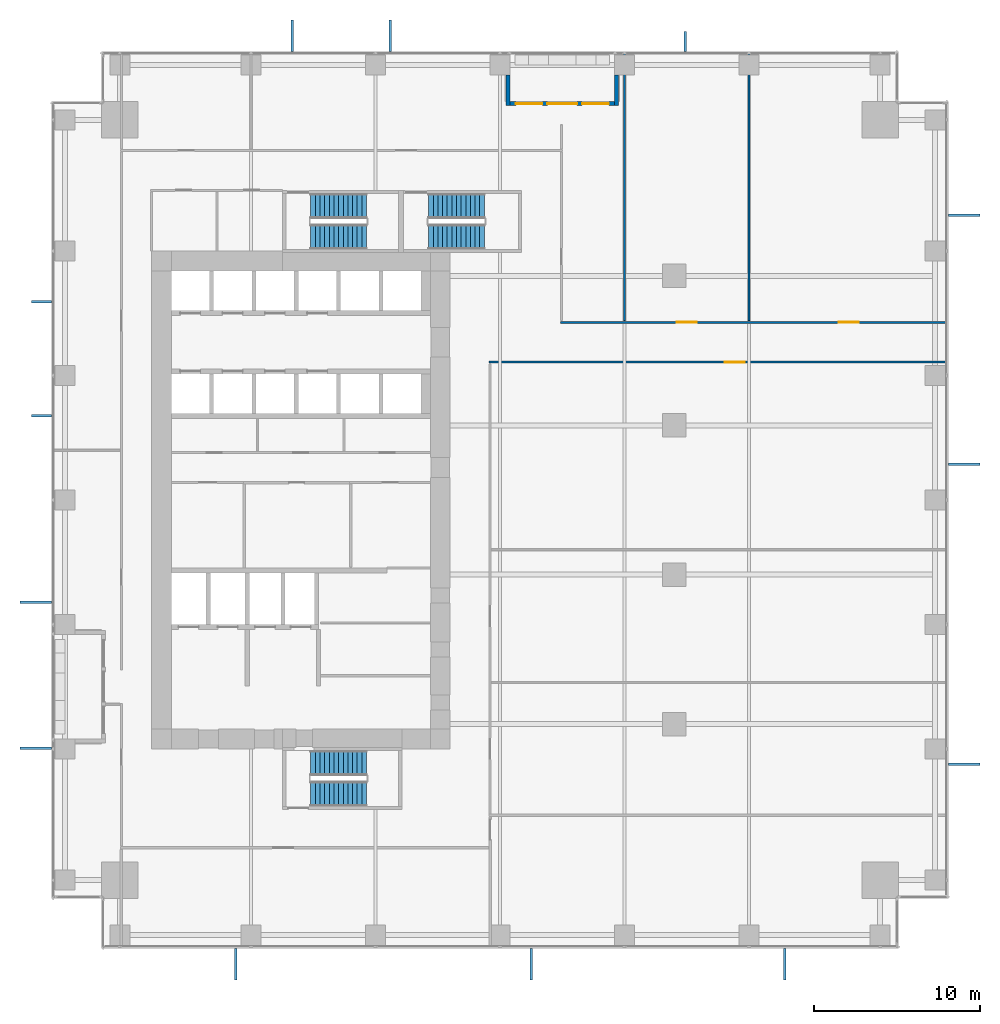
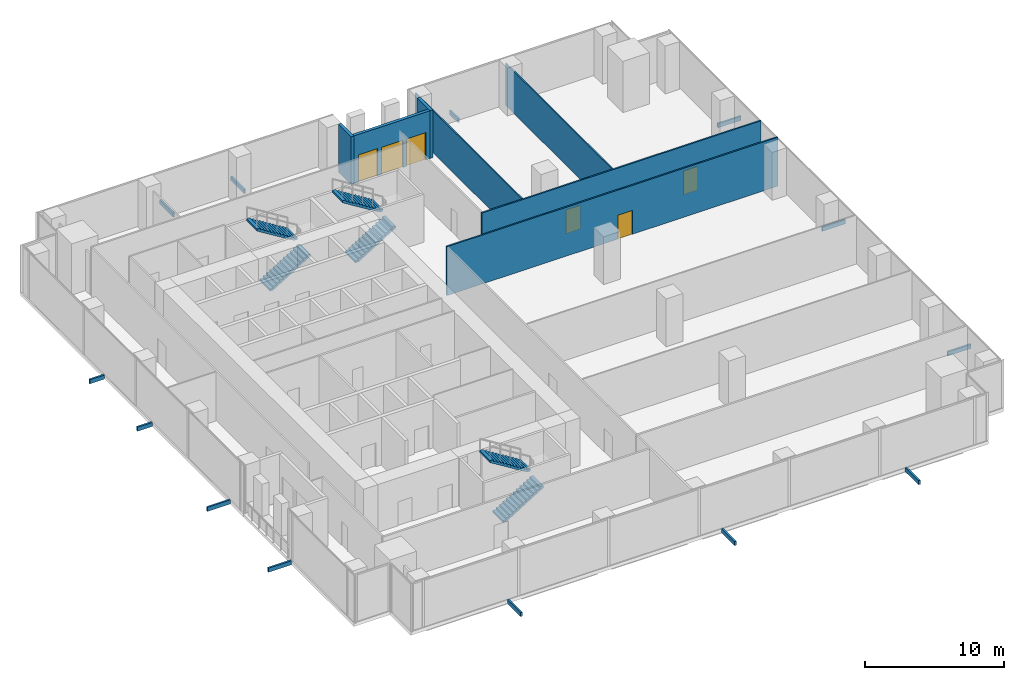
# One storey, part 30 of 33: 13 discrete accessories, 7 walls, 6 stair flights, 4 doors, 2 windows, 6 openings, 3 elements without a shape of their own.
"""IFC4 building model written with IfcOpenShell, lengths in metres."""

from ifc_helpers import new_model, si_unit, direction, frame, frame_2d, origin, origin_2d, place, context, subcontext, project, spatial, polyline, rectangle, outline, extrude, source, transform, mapped, material, layer, layer_set, type_object, element, fill, aggregate, save


model = new_model("IFC4")

# Units and contexts
model_context = context("Model", 3, precision=1e-05, world=origin(), true_north=direction((0.0, 1.0)))
body_context = subcontext(model_context, "Body", "Model", "MODEL_VIEW")
ifc_project = project(units=[si_unit("LENGTHUNIT", "METRE"), si_unit("AREAUNIT", "SQUARE_METRE"), si_unit("VOLUMEUNIT", "CUBIC_METRE"), si_unit("PLANEANGLEUNIT", "RADIAN"), si_unit("MASSUNIT", "GRAM", prefix="KILO")], contexts=[model_context])

# Site, building, storey
site_placement = place(None, origin())
site = spatial("IfcSite", under=ifc_project, at=site_placement, CompositionType="ELEMENT")
building_placement = place(site_placement, origin())
building = spatial("IfcBuilding", under=site, at=building_placement, Name="Khomas Fold Tower", CompositionType="ELEMENT")
storey_placement = place(building_placement, frame((0.0, 0.0, 55.5)))
storey = spatial("IfcBuildingStorey", under=building, at=storey_placement, Name="L11", CompositionType="ELEMENT", Elevation=55.5)

# Wall, openings, windows, door
ifc_material_1 = material(Name="Natural stone", Category="masonry")
ifc_layer_1 = layer(ifc_material_1, 0.0400390625)
ifc_material_2 = material(Name="Mineral wool insulation", Category="insulation")
ifc_layer_2 = layer(ifc_material_2, 0.10009765625)
ifc_material_3 = material(Name="Masonry", Category="masonry")
ifc_layer_3 = layer(ifc_material_3, 0.110107421875)
ifc_layer_set_1 = layer_set([ifc_layer_1, ifc_layer_2, ifc_layer_3], Name="Stone-faced insulated masonry")
wall_type_1 = type_object("IfcWallType", Name="BL-Balcony wall", PredefinedType="SOLIDWALL", material=ifc_layer_set_1)
shared_shape_1 = source(origin(), body_context, "Body", "SweptSolid", [
    extrude(rectangle(XDim=6.2998046875, YDim=0.25, at=frame_2d((3.14990234375, 0.0))), origin(), (0.0, 0.0, 1.0), 4.199951171875),
])
wall_1_placement = place(storey_placement, frame((27.60009765625, 50.875, 0.0), z_axis=(0.0, 0.0, 1.0), x_axis=(1.0, 0.0, 0.0)))
wall_1 = element("IfcWall", 1, at=wall_1_placement, inside=storey, type_object=wall_type_1, Name="Balcony wall BAL-L11-N3", PredefinedType="SOLIDWALL", context=body_context, shape_type="MappedRepresentation", body=[
    mapped(shared_shape_1, transform((0.0, 0.0, 0.0))),
])
shared_shape_2 = source(origin(), body_context, "Body", "SweptSolid", [
    extrude(rectangle(XDim=1.60009765625, YDim=2.39990234375, at=frame_2d((0.800048828125, 1.199951171875))), frame((0.0, 0.135009765625, 0.0), z_axis=(0.0, -1.0, 0.0), x_axis=(1.0, 0.0, 0.0)), (0.0, 0.0, 1.0), 0.27001953125),
])
opening_1_placement = place(wall_1_placement, frame((0.35009765625, 0.0, 0.0)))
opening_1 = element("IfcOpeningElement", 2, at=opening_1_placement, cuts=wall_1, Name="Opening BL-W1", PredefinedType="OPENING", context=body_context, shape_type="MappedRepresentation", body=[
    mapped(shared_shape_2, transform((0.0, 0.0, 0.0))),
])
opening_2_placement = place(wall_1_placement, frame((4.35009765625, 0.0, 0.0)))
opening_2 = element("IfcOpeningElement", 3, at=opening_2_placement, cuts=wall_1, Name="Opening BL-W1", PredefinedType="OPENING", context=body_context, shape_type="MappedRepresentation", body=[
    mapped(shared_shape_2, transform((0.0, 0.0, 0.0))),
])
shared_shape_3 = source(origin(), body_context, "Body", "SweptSolid", [
    extrude(rectangle(XDim=1.800048828125, YDim=2.39990234375, at=frame_2d((0.89990234375, 1.199951171875))), frame((0.0, 0.135009765625, 0.0), z_axis=(0.0, -1.0, 0.0), x_axis=(1.0, 0.0, 0.0)), (0.0, 0.0, 1.0), 0.27001953125),
])
opening_3_placement = place(wall_1_placement, frame((2.25, 0.0, 0.0)))
opening_3 = element("IfcOpeningElement", 4, at=opening_3_placement, cuts=wall_1, Name="Opening BD111", PredefinedType="OPENING", context=body_context, shape_type="MappedRepresentation", body=[
    mapped(shared_shape_3, transform((0.0, 0.0, 0.0))),
])
ifc_material_4 = material(Name="Aluminium framed double glazing", Category="aluminium")
window_type = type_object("IfcWindowType", Name="BL-Fixed glazing 1600 x 2400", PartitioningType="SINGLE_PANEL", PredefinedType="WINDOW", material=ifc_material_4)
shared_shape_4 = source(origin(), body_context, "Body", "SweptSolid", [
    extrude(rectangle(XDim=1.60009765625, YDim=2.39990234375, at=frame_2d((0.800048828125, 1.199951171875))), frame((0.0, 0.030029296875, 0.0), z_axis=(0.0, -1.0, 0.0), x_axis=(1.0, 0.0, 0.0)), (0.0, 0.0, 1.0), 0.06005859375),
])
window_1_placement = place(opening_1_placement, origin())
window_1 = element("IfcWindow", 5, at=window_1_placement, inside=storey, type_object=window_type, Name="Balcony glazing BAL-L11-N3-1", OverallHeight=2.39990234375, OverallWidth=1.60009765625, PartitioningType="SINGLE_PANEL", PredefinedType="WINDOW", context=body_context, shape_type="MappedRepresentation", body=[
    mapped(shared_shape_4, transform((0.0, 0.0, 0.0))),
])
fill(opening_1, window_1)
window_2_placement = place(opening_2_placement, origin())
window_2 = element("IfcWindow", 6, at=window_2_placement, inside=storey, type_object=window_type, Name="Balcony glazing BAL-L11-N3-2", OverallHeight=2.39990234375, OverallWidth=1.60009765625, PartitioningType="SINGLE_PANEL", PredefinedType="WINDOW", context=body_context, shape_type="MappedRepresentation", body=[
    mapped(shared_shape_4, transform((0.0, 0.0, 0.0))),
])
fill(opening_2, window_2)
ifc_material_5 = material(Name="Aluminium framed double glazing", Category="aluminium")
door_type_1 = type_object("IfcDoorType", Name="BL-Glazed balcony door 1800 x 2400", OperationType="DOUBLE_DOOR_DOUBLE_SWING", PredefinedType="DOOR", material=ifc_material_5)
shared_shape_5 = source(origin(), body_context, "Body", "SweptSolid", [
    extrude(rectangle(XDim=1.800048828125, YDim=2.39990234375, at=frame_2d((0.89990234375, 1.199951171875))), frame((0.0, 0.02490234375, 0.0), z_axis=(0.0, -1.0, 0.0), x_axis=(1.0, 0.0, 0.0)), (0.0, 0.0, 1.0), 0.050048828125),
])
door_1_placement = place(opening_3_placement, origin())
door_1 = element("IfcDoor", 7, at=door_1_placement, inside=storey, type_object=door_type_1, Name="Balcony door BD111", OperationType="DOUBLE_DOOR_DOUBLE_SWING", OverallHeight=2.39990234375, OverallWidth=1.800048828125, PredefinedType="DOOR", context=body_context, shape_type="MappedRepresentation", body=[
    mapped(shared_shape_5, transform((0.0, 0.0, 0.0))),
])
fill(opening_3, door_1)

# Walls
shared_shape_6 = source(origin(), body_context, "Body", "SweptSolid", [
    extrude(rectangle(XDim=1.85009765625, YDim=0.25, at=frame_2d((0.925048828125, 0.0))), origin(), (0.0, 0.0, 1.0), 4.199951171875),
])
for number, where, z_axis, x_axis, name in (
    (8, (27.47509765625, 52.60009765625, 0.0), (0.0, 0.0, 1.0), (0.0, -1.0, 0.0), "Balcony return wall BAL-L11-N3-lo"),
    (9, (34.02490234375, 52.60009765625, 0.0), (0.0, 0.0, 1.0), (0.0, -1.0, 0.0), "Balcony return wall BAL-L11-N3-hi"),
):
    element("IfcWall", number, at=place(storey_placement, frame(where, z_axis=z_axis, x_axis=x_axis)), inside=storey, type_object=wall_type_1, Name=name, PredefinedType="SOLIDWALL", context=body_context, shape_type="MappedRepresentation", body=[
        mapped(shared_shape_6, transform((0.0, 0.0, 0.0))),
    ])

# Wall, opening, door
ifc_material_6 = material(Name="Plasterboard partition")
ifc_layer_4 = layer(ifc_material_6, 0.125)
ifc_layer_set_2 = layer_set([ifc_layer_4], Name="Plasterboard partition")
wall_type_2 = type_object("IfcWallType", Name="Partition PW2 125", PredefinedType="PARTITIONING", material=ifc_layer_set_2)
shared_shape_7 = source(origin(), body_context, "Body", "SweptSolid", [
    extrude(rectangle(XDim=27.5, YDim=0.125, at=frame_2d((13.75, 0.0))), origin(), (0.0, 0.0, 1.0), 4.300048828125),
])
wall_2_placement = place(storey_placement, frame((26.35009765625, 35.300048828125, 0.0), z_axis=(0.0, 0.0, 1.0), x_axis=(1.0, 0.0, 0.0)))
wall_2 = element("IfcWall", 10, at=wall_2_placement, inside=storey, type_object=wall_type_2, Name="Partition", PredefinedType="PARTITIONING", context=body_context, shape_type="MappedRepresentation", body=[
    mapped(shared_shape_7, transform((0.0, 0.0, 0.0))),
])
shared_shape_8 = source(origin(), body_context, "Body", "SweptSolid", [
    extrude(rectangle(XDim=1.199951171875, YDim=2.10009765625, at=frame_2d((0.60009765625, 1.050048828125))), frame((0.0, 0.072509765625, 0.0), z_axis=(0.0, -1.0, 0.0), x_axis=(1.0, 0.0, 0.0)), (0.0, 0.0, 1.0), 0.14501953125),
])
opening_4_placement = place(wall_2_placement, frame((14.199951171875, 0.0, 0.0)))
opening_4 = element("IfcOpeningElement", 11, at=opening_4_placement, cuts=wall_2, Name="Opening 0013", PredefinedType="OPENING", context=body_context, shape_type="MappedRepresentation", body=[
    mapped(shared_shape_8, transform((0.0, 0.0, 0.0))),
])
ifc_material_7 = material(Name="Timber door leaf", Category="wood")
door_type_2 = type_object("IfcDoorType", Name="Door 1200x2100 left-hand", OperationType="SINGLE_SWING_LEFT", PredefinedType="DOOR", material=ifc_material_7)
shared_shape_9 = source(origin(), body_context, "Body", "SweptSolid", [
    extrude(rectangle(XDim=1.199951171875, YDim=2.10009765625, at=frame_2d((0.60009765625, 1.050048828125))), frame((0.0, 0.02490234375, 0.0), z_axis=(0.0, -1.0, 0.0), x_axis=(1.0, 0.0, 0.0)), (0.0, 0.0, 1.0), 0.050048828125),
])
door_2_placement = place(opening_4_placement, origin())
door_2 = element("IfcDoor", 12, at=door_2_placement, inside=storey, type_object=door_type_2, Name="Door", OperationType="SINGLE_SWING_LEFT", OverallHeight=2.10009765625, OverallWidth=1.199951171875, PredefinedType="DOOR", context=body_context, shape_type="MappedRepresentation", body=[
    mapped(shared_shape_9, transform((0.0, 0.0, 0.0))),
])
fill(opening_4, door_2)

# Wall, openings, doors
shared_shape_10 = source(origin(), body_context, "Body", "SweptSolid", [
    extrude(rectangle(XDim=23.2001953125, YDim=0.125, at=frame_2d((11.60009765625, 0.0))), origin(), (0.0, 0.0, 1.0), 4.300048828125),
])
wall_3_placement = place(storey_placement, frame((30.64990234375, 37.699951171875, 0.0), z_axis=(0.0, 0.0, 1.0), x_axis=(1.0, 0.0, 0.0)))
wall_3 = element("IfcWall", 13, at=wall_3_placement, inside=storey, type_object=wall_type_2, Name="Partition", PredefinedType="PARTITIONING", context=body_context, shape_type="MappedRepresentation", body=[
    mapped(shared_shape_10, transform((0.0, 0.0, 0.0))),
])
opening_5_placement = place(wall_3_placement, frame((7.0, 0.0, 0.0)))
opening_5 = element("IfcOpeningElement", 14, at=opening_5_placement, cuts=wall_3, Name="Opening 0001", PredefinedType="OPENING", context=body_context, shape_type="MappedRepresentation", body=[
    mapped(shared_shape_8, transform((0.0, 0.0, 0.0))),
])
opening_6_placement = place(wall_3_placement, frame((16.75, 0.0, 0.0)))
opening_6 = element("IfcOpeningElement", 15, at=opening_6_placement, cuts=wall_3, Name="Opening 0013", PredefinedType="OPENING", context=body_context, shape_type="MappedRepresentation", body=[
    mapped(shared_shape_8, transform((0.0, 0.0, 0.0))),
])
ifc_material_8 = material(Name="Timber door leaf", Category="wood")
door_type_3 = type_object("IfcDoorType", Name="Door 1200x2100 right-hand", OperationType="SINGLE_SWING_RIGHT", PredefinedType="DOOR", material=ifc_material_8)
door_3_placement = place(opening_5_placement, origin())
door_3 = element("IfcDoor", 16, at=door_3_placement, inside=storey, type_object=door_type_3, Name="Door", OperationType="SINGLE_SWING_RIGHT", OverallHeight=2.10009765625, OverallWidth=1.199951171875, PredefinedType="DOOR", context=body_context, shape_type="MappedRepresentation", body=[
    mapped(shared_shape_9, transform((0.0, 0.0, 0.0))),
])
fill(opening_5, door_3)
door_4_placement = place(opening_6_placement, origin())
door_4 = element("IfcDoor", 17, at=door_4_placement, inside=storey, type_object=door_type_2, Name="Door", OperationType="SINGLE_SWING_LEFT", OverallHeight=2.10009765625, OverallWidth=1.199951171875, PredefinedType="DOOR", context=body_context, shape_type="MappedRepresentation", body=[
    mapped(shared_shape_9, transform((0.0, 0.0, 0.0))),
])
fill(opening_6, door_4)

# Walls
ifc_material_9 = material(Name="Plasterboard partition")
ifc_layer_5 = layer(ifc_material_9, 0.10009765625)
ifc_layer_set_3 = layer_set([ifc_layer_5], Name="Plasterboard partition")
wall_type_3 = type_object("IfcWallType", Name="Partition PW1 100", PredefinedType="PARTITIONING", material=ifc_layer_set_3)
shared_shape_11 = source(origin(), body_context, "Body", "SweptSolid", [
    extrude(rectangle(XDim=16.050048828125, YDim=0.10009765625, at=frame_2d((8.02490234375, 0.0))), origin(), (0.0, 0.0, 1.0), 3.699951171875),
])
for number, where, z_axis, x_axis, name in (
    (18, (34.5, 37.800048828125, 0.0), (0.0, 0.0, 1.0), (0.0, 1.0, 0.0), "Partition"),
    (19, (42.0, 37.800048828125, 0.0), (0.0, 0.0, 1.0), (0.0, 1.0, 0.0), "Partition"),
):
    element("IfcWall", number, at=place(storey_placement, frame(where, z_axis=z_axis, x_axis=x_axis)), inside=storey, type_object=wall_type_3, Name=name, PredefinedType="PARTITIONING", context=body_context, shape_type="MappedRepresentation", body=[
        mapped(shared_shape_11, transform((0.0, 0.0, 0.0))),
    ])

# Stair, stair flights
ifc_material_10 = material(Name="Concrete C40/50", Category="concrete")
stair_type_1 = type_object("IfcStairType", Name="Stair ST1", PredefinedType="HALF_TURN_STAIR", material=ifc_material_10)
stair_1_placement = place(storey_placement, origin())
stair_1 = element("IfcStair", 20, at=stair_1_placement, inside=storey, type_object=stair_type_1, Name="L11 ST1", PredefinedType="HALF_TURN_STAIR")
ifc_material_11 = material(Name="Concrete C40/50", Category="concrete")
stair_flight_type_1 = type_object("IfcStairFlightType", Name="Stair flight 1500 ST1", PredefinedType="STRAIGHT", material=ifc_material_11)
shared_shape_12 = source(origin(), body_context, "Body", "SweptSolid", [
    extrude(outline(polyline([(0.0, 0.0), (0.0, 0.013427734375), (0.0, 0.026611328125), (0.0, 0.0400390625), (0.0, 0.05322265625), (0.0, 0.066650390625), (0.0, 0.079833984375), (0.0, 0.09326171875), (0.0, 0.1064453125), (0.0, 0.119873046875), (0.0, 0.133056640625), (0.0, 0.146484375), (0.0, 0.15966796875), (0.0, 0.173095703125), (0.280029296875, 0.173095703125), (0.280029296875, 0.34619140625), (0.56005859375, 0.34619140625), (0.56005859375, 0.519287109375), (0.840087890625, 0.519287109375), (0.840087890625, 0.6923828125), (1.1201171875, 0.6923828125), (1.1201171875, 0.865478515625), (1.39990234375, 0.865478515625), (1.39990234375, 1.03857421875), (1.679931640625, 1.03857421875), (1.679931640625, 1.21142578125), (1.9599609375, 1.21142578125), (1.9599609375, 1.384521484375), (2.239990234375, 1.384521484375), (2.239990234375, 1.5576171875), (2.52001953125, 1.5576171875), (2.52001953125, 1.730712890625), (2.800048828125, 1.730712890625), (2.800048828125, 1.90380859375), (3.080078125, 1.90380859375), (3.080078125, 2.076904296875), (3.360107421875, 2.076904296875), (3.360107421875, 2.25), (3.360107421875, 2.22314453125), (3.360107421875, 2.1962890625), (3.360107421875, 2.16943359375), (3.360107421875, 2.142578125), (3.360107421875, 2.11572265625), (3.360107421875, 2.0888671875), (3.360107421875, 2.06201171875), (3.360107421875, 2.03515625), (3.360107421875, 2.008056640625), (3.360107421875, 1.981201171875), (3.360107421875, 1.954345703125), (3.360107421875, 1.927490234375), (3.360107421875, 1.900634765625), (0.28515625, 0.0), (0.0, 0.0)])), frame((0.0, 0.75, 0.0), z_axis=(0.0, -1.0, 0.0), x_axis=(1.0, 0.0, 0.0)), (0.0, 0.0, 1.0), 1.5),
])
stair_flight_1_placement = place(storey_placement, frame((15.60009765625, 42.85009765625, 0.0), z_axis=(0.0, 0.0, 1.0), x_axis=(1.0, 0.0, 0.0)))
stair_flight_1 = element("IfcStairFlight", 21, at=stair_flight_1_placement, type_object=stair_flight_type_1, Name="ST1 flight 1", NumberOfRisers=13, NumberOfTreads=12, PredefinedType="STRAIGHT", RiserHeight=0.173076923, TreadLength=0.28, context=body_context, shape_type="MappedRepresentation", body=[
    mapped(shared_shape_12, transform((0.0, 0.0, 0.0))),
])
stair_flight_2_placement = place(storey_placement, frame((18.9599609375, 44.699951171875, 2.25), z_axis=(0.0, 0.0, 1.0), x_axis=(-1.0, 0.0, 0.0)))
stair_flight_2 = element("IfcStairFlight", 22, at=stair_flight_2_placement, type_object=stair_flight_type_1, Name="ST1 flight 2", NumberOfRisers=13, NumberOfTreads=12, PredefinedType="STRAIGHT", RiserHeight=0.173076923, TreadLength=0.28, context=body_context, shape_type="MappedRepresentation", body=[
    mapped(shared_shape_12, transform((0.0, 0.0, 0.0))),
])
aggregate(stair_1, [stair_flight_1, stair_flight_2])

ifc_material_12 = material(Name="Concrete C40/50", Category="concrete")
stair_type_2 = type_object("IfcStairType", Name="Stair ST2", PredefinedType="HALF_TURN_STAIR", material=ifc_material_12)
stair_2_placement = place(storey_placement, origin())
stair_2 = element("IfcStair", 23, at=stair_2_placement, inside=storey, type_object=stair_type_2, Name="L11 ST2", PredefinedType="HALF_TURN_STAIR")
ifc_material_13 = material(Name="Concrete C40/50", Category="concrete")
stair_flight_type_2 = type_object("IfcStairFlightType", Name="Stair flight 1500 ST2", PredefinedType="STRAIGHT", material=ifc_material_13)
stair_flight_3_placement = place(storey_placement, frame((15.60009765625, 9.300048828125, 0.0), z_axis=(0.0, 0.0, 1.0), x_axis=(1.0, 0.0, 0.0)))
stair_flight_3 = element("IfcStairFlight", 24, at=stair_flight_3_placement, type_object=stair_flight_type_2, Name="ST2 flight 1", NumberOfRisers=13, NumberOfTreads=12, PredefinedType="STRAIGHT", RiserHeight=0.173076923, TreadLength=0.28, context=body_context, shape_type="MappedRepresentation", body=[
    mapped(shared_shape_12, transform((0.0, 0.0, 0.0))),
])
stair_flight_4_placement = place(storey_placement, frame((18.9599609375, 11.14990234375, 2.25), z_axis=(0.0, 0.0, 1.0), x_axis=(-1.0, 0.0, 0.0)))
stair_flight_4 = element("IfcStairFlight", 25, at=stair_flight_4_placement, type_object=stair_flight_type_2, Name="ST2 flight 2", NumberOfRisers=13, NumberOfTreads=12, PredefinedType="STRAIGHT", RiserHeight=0.173076923, TreadLength=0.28, context=body_context, shape_type="MappedRepresentation", body=[
    mapped(shared_shape_12, transform((0.0, 0.0, 0.0))),
])
aggregate(stair_2, [stair_flight_3, stair_flight_4])

ifc_material_14 = material(Name="Concrete C40/50", Category="concrete")
stair_type_3 = type_object("IfcStairType", Name="Stair ST3", PredefinedType="HALF_TURN_STAIR", material=ifc_material_14)
stair_3_placement = place(storey_placement, origin())
stair_3 = element("IfcStair", 26, at=stair_3_placement, inside=storey, type_object=stair_type_3, Name="L11 ST3", PredefinedType="HALF_TURN_STAIR")
ifc_material_15 = material(Name="Concrete C40/50", Category="concrete")
stair_flight_type_3 = type_object("IfcStairFlightType", Name="Stair flight 1500 ST3", PredefinedType="STRAIGHT", material=ifc_material_15)
stair_flight_5_placement = place(storey_placement, frame((22.699951171875, 42.85009765625, 0.0), z_axis=(0.0, 0.0, 1.0), x_axis=(1.0, 0.0, 0.0)))
stair_flight_5 = element("IfcStairFlight", 27, at=stair_flight_5_placement, type_object=stair_flight_type_3, Name="ST3 flight 1", NumberOfRisers=13, NumberOfTreads=12, PredefinedType="STRAIGHT", RiserHeight=0.173076923, TreadLength=0.28, context=body_context, shape_type="MappedRepresentation", body=[
    mapped(shared_shape_12, transform((0.0, 0.0, 0.0))),
])
stair_flight_6_placement = place(storey_placement, frame((26.06005859375, 44.699951171875, 2.25), z_axis=(0.0, 0.0, 1.0), x_axis=(-1.0, 0.0, 0.0)))
stair_flight_6 = element("IfcStairFlight", 28, at=stair_flight_6_placement, type_object=stair_flight_type_3, Name="ST3 flight 2", NumberOfRisers=13, NumberOfTreads=12, PredefinedType="STRAIGHT", RiserHeight=0.173076923, TreadLength=0.28, context=body_context, shape_type="MappedRepresentation", body=[
    mapped(shared_shape_12, transform((0.0, 0.0, 0.0))),
])
aggregate(stair_3, [stair_flight_5, stair_flight_6])

# Discrete accessories
ifc_material_16 = material(Name="Stainless steel", Category="steel")
discrete_accessory_type = type_object("IfcDiscreteAccessoryType", Name="SK-Stainless steel stone bracket", PredefinedType="BRACKET", material=ifc_material_16)
shared_shape_13 = source(origin(), body_context, "Body", "SweptSolid", [
    extrude(rectangle(XDim=1.91162109375, YDim=0.14990234375, at=origin_2d()), origin(), (0.0, 0.0, 1.0), 0.360107421875),
])
for number, where, z_axis, x_axis, name in (
    (29, (11.097900390625, -0.955810546875, -0.30029296875), (0.0, 0.0, 1.0), (0.0, -1.0, 0.0), "Stone bracket L11 SS03-1-2"),
    (30, (28.877685546875, -0.955810546875, -0.30029296875), (0.0, 0.0, 1.0), (0.0, -1.0, 0.0), "Stone bracket L11 SS06-2-2"),
    (31, (44.160400390625, -0.955810546875, -0.30029296875), (0.0, 0.0, 1.0), (0.0, -1.0, 0.0), "Stone bracket L11 SS09-3-2"),
    (32, (54.955810546875, 11.097900390625, -0.30029296875), (0.0, 0.0, 1.0), (1.0, 0.0, 0.0), "Stone bracket L11 ES03-1-2"),
    (33, (54.955810546875, 29.160400390625, -0.30029296875), (0.0, 0.0, 1.0), (1.0, 0.0, 0.0), "Stone bracket L11 ES06-2-2"),
    (34, (54.955810546875, 44.160400390625, -0.30029296875), (0.0, 0.0, 1.0), (1.0, 0.0, 0.0), "Stone bracket L11 ES09-3-2"),
    (35, (14.48291015625, 54.955810546875, -0.30029296875), (0.0, 0.0, 1.0), (0.0, 1.0, 0.0), "Stone bracket L11 NS05-1-3"),
    (36, (20.383544921875, 54.955810546875, -0.30029296875), (0.0, 0.0, 1.0), (0.0, 1.0, 0.0), "Stone bracket L11 NS05-1-4"),
    (37, (-0.955810546875, 20.85400390625, -0.30029296875), (0.0, 0.0, 1.0), (-1.0, 0.0, 0.0), "Stone bracket L11 WS05-1-2"),
    (38, (-0.955810546875, 12.041259765625, -0.30029296875), (0.0, 0.0, 1.0), (-1.0, 0.0, 0.0), "Stone bracket L11 WS05-2-2"),
):
    element("IfcDiscreteAccessory", number, at=place(storey_placement, frame(where, z_axis=z_axis, x_axis=x_axis)), inside=storey, type_object=discrete_accessory_type, Name=name, PredefinedType="BRACKET", context=body_context, shape_type="MappedRepresentation", body=[
        mapped(shared_shape_13, transform((0.0, 0.0, 0.0))),
    ])
shared_shape_14 = source(origin(), body_context, "Body", "SweptSolid", [
    extrude(rectangle(XDim=1.220947265625, YDim=0.14990234375, at=origin_2d()), origin(), (0.0, 0.0, 1.0), 0.360107421875),
])
for number, where, z_axis, x_axis, name in (
    (39, (38.16650390625, 54.610595703125, -0.30029296875), (0.0, 0.0, 1.0), (0.0, 1.0, 0.0), "Stone bracket L11 NS08-2-2"),
    (40, (-0.610595703125, 32.0751953125, -0.30029296875), (0.0, 0.0, 1.0), (-1.0, 0.0, 0.0), "Stone bracket L11 WS08-3-3"),
    (41, (-0.610595703125, 38.947021484375, -0.30029296875), (0.0, 0.0, 1.0), (-1.0, 0.0, 0.0), "Stone bracket L11 WS08-3-4"),
):
    element("IfcDiscreteAccessory", number, at=place(storey_placement, frame(where, z_axis=z_axis, x_axis=x_axis)), inside=storey, type_object=discrete_accessory_type, Name=name, PredefinedType="BRACKET", context=body_context, shape_type="MappedRepresentation", body=[
        mapped(shared_shape_14, transform((0.0, 0.0, 0.0))),
    ])

save(model, "model.ifc")
